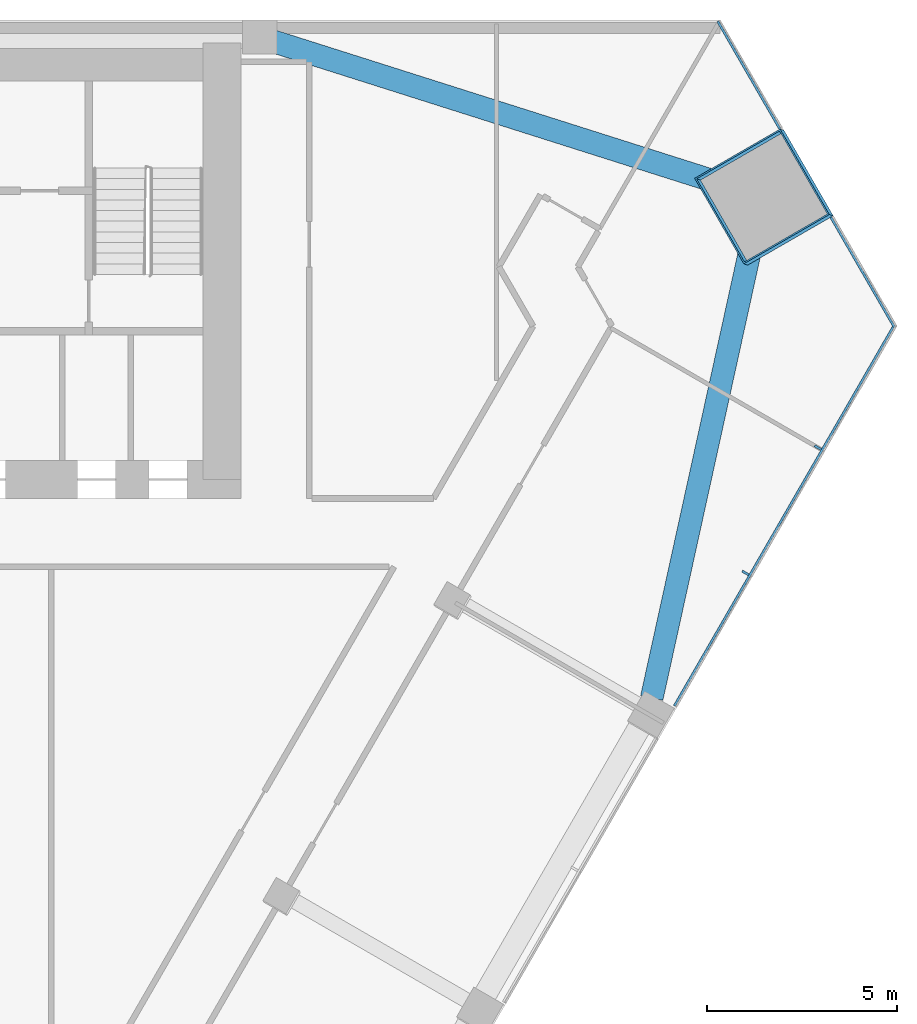
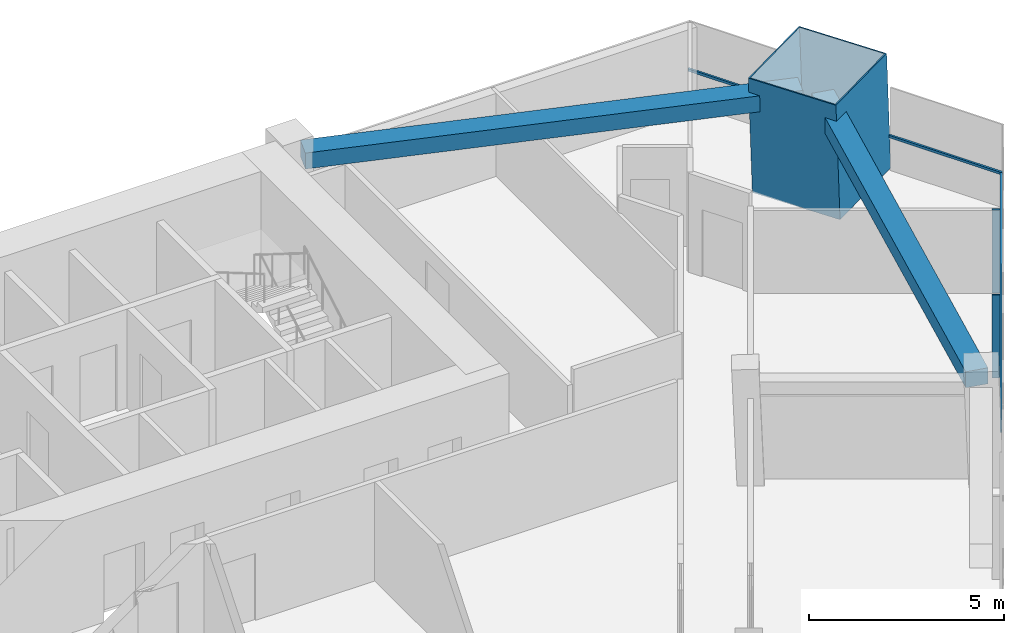
# One storey, part 7 of 13: 6 members, 2 beams, 2 elements without a shape of their own.
"""IFC4 building model written with IfcOpenShell, lengths in metres."""

from ifc_helpers import new_model, si_unit, direction, frame, origin, origin_2d, place, context, subcontext, project, spatial, rectangle, hollow_rectangle, extrude, material, layer, layer_set, material_profile, profile_set, type_object, element, aggregate, save


model = new_model("IFC4")

# Units and contexts
model_context = context("Model", 3, precision=1e-05, world=origin(), true_north=direction((0.0, 1.0)))
body_context = subcontext(model_context, "Body", "Model", "MODEL_VIEW")
ifc_project = project(units=[si_unit("LENGTHUNIT", "METRE"), si_unit("AREAUNIT", "SQUARE_METRE"), si_unit("VOLUMEUNIT", "CUBIC_METRE"), si_unit("PLANEANGLEUNIT", "RADIAN"), si_unit("MASSUNIT", "GRAM", prefix="KILO")], contexts=[model_context])

# Site, building, storey
site_placement = place(None, origin())
site = spatial("IfcSite", under=ifc_project, at=site_placement, CompositionType="ELEMENT")
building_placement = place(site_placement, origin())
building = spatial("IfcBuilding", under=site, at=building_placement, Name="Altiplano Prism Tower", CompositionType="ELEMENT")
storey_placement = place(building_placement, frame((0.0, 0.0, 59.39990234375)))
storey = spatial("IfcBuildingStorey", under=building, at=storey_placement, Name="L14", CompositionType="ELEMENT", Elevation=59.39990234375)

# Curtain wall, members
ifc_material_1 = material(Name="Aluminium and glass", Category="aluminium")
ifc_layer = layer(ifc_material_1, 0.303955078125)
ifc_layer_set = layer_set([ifc_layer], Name="Aluminium and glass")
curtain_wall_type = type_object("IfcCurtainWallType", Name="CW2 lounge-band unitised glazing", PredefinedType="NOTDEFINED", material=ifc_layer_set)
curtain_wall_1_placement = place(storey_placement, origin())
curtain_wall_1 = element("IfcCurtainWall", 1, at=curtain_wall_1_placement, inside=storey, type_object=curtain_wall_type, Name="CW2 curtain wall south-east face L14", PredefinedType="NOTDEFINED")
ifc_material_2 = material(Name="Aluminium", Category="aluminium")
ifc_material_profile_1 = material_profile(ifc_material_2, rectangle(XDim=0.199951171875, YDim=0.06005859375, at=origin_2d()), Name="CW2 mullion 60 x 200")
ifc_profile_set_1 = profile_set([ifc_material_profile_1], Name="Aluminium")
member_type_1 = type_object("IfcMemberType", Name="CW2 mullion 60 x 200", PredefinedType="MULLION", material=ifc_profile_set_1)
member_1_placement = place(storey_placement, frame((111.2900390625, 90.437255859375, 0.0), z_axis=(0.0, 0.0, 1.0), x_axis=(-0.866025407284, 0.499999993939, 0.0)))
member_1 = element("IfcMember", 2, at=member_1_placement, type_object=member_type_1, Name="CW2 mullion", PredefinedType="MULLION", context=body_context, shape_type="SweptSolid", body=[
    extrude(rectangle(XDim=0.199951171875, YDim=0.06005859375, at=origin_2d()), origin(), (0.0, 0.0, 1.0), 2.60009765625),
])
member_2_placement = place(storey_placement, frame((113.196533203125, 93.739501953125, 0.0), z_axis=(0.0, 0.0, 1.0), x_axis=(-0.866025407284, 0.499999993939, 0.0)))
member_2 = element("IfcMember", 3, at=member_2_placement, type_object=member_type_1, Name="CW2 mullion", PredefinedType="MULLION", context=body_context, shape_type="SweptSolid", body=[
    extrude(rectangle(XDim=0.199951171875, YDim=0.06005859375, at=origin_2d()), origin(), (0.0, 0.0, 1.0), 2.60009765625),
])
ifc_material_profile_2 = material_profile(ifc_material_2, rectangle(XDim=0.06005859375, YDim=0.080078125, at=origin_2d()), Name="CW2 transom 80 x 60")
ifc_profile_set_2 = profile_set([ifc_material_profile_2], Name="Aluminium")
member_type_2 = type_object("IfcMemberType", Name="CW2 transom 80 x 60", PredefinedType="USERDEFINED", material=ifc_profile_set_2)
member_3_placement = place(storey_placement, frame((109.417236328125, 86.933837890625, 1.10009765625), z_axis=(0.500011000363, 0.866019052629, 0.0), x_axis=(-0.866019052629, 0.500011000363, 0.0)))
member_3 = element("IfcMember", 4, at=member_3_placement, type_object=member_type_2, Name="CW2 transom", ObjectType="TRANSOM", PredefinedType="USERDEFINED", context=body_context, shape_type="SweptSolid", body=[
    extrude(rectangle(XDim=0.06005859375, YDim=0.080078125, at=origin_2d()), origin(), (0.0, 0.0, 1.0), 11.596435546875),
])
aggregate(curtain_wall_1, [member_1, member_2, member_3])

curtain_wall_2_placement = place(storey_placement, origin())
curtain_wall_2 = element("IfcCurtainWall", 5, at=curtain_wall_2_placement, inside=storey, type_object=curtain_wall_type, Name="CW2 curtain wall north-east chamfer L14", PredefinedType="NOTDEFINED")
member_4_placement = place(storey_placement, frame((115.215576171875, 96.902587890625, 1.10009765625), z_axis=(-0.499959807992, 0.866048607408, 0.0), x_axis=(-0.866048607408, -0.499959807992, 0.0)))
member_4 = element("IfcMember", 6, at=member_4_placement, type_object=member_type_2, Name="CW2 transom", ObjectType="TRANSOM", PredefinedType="USERDEFINED", context=body_context, shape_type="SweptSolid", body=[
    extrude(rectangle(XDim=0.06005859375, YDim=0.080078125, at=origin_2d()), origin(), (0.0, 0.0, 1.0), 3.353759765625),
])
member_5_placement = place(storey_placement, frame((112.19873046875, 102.1279296875, 1.10009765625), z_axis=(-0.499989298045, 0.866031582473, 0.0), x_axis=(-0.866031582473, -0.499989298045, 0.0)))
member_5 = element("IfcMember", 7, at=member_5_placement, type_object=member_type_2, Name="CW2 transom", ObjectType="TRANSOM", PredefinedType="USERDEFINED", context=body_context, shape_type="SweptSolid", body=[
    extrude(rectangle(XDim=0.06005859375, YDim=0.080078125, at=origin_2d()), origin(), (0.0, 0.0, 1.0), 3.2734375),
])
aggregate(curtain_wall_2, [member_4, member_5])

# Beams
ifc_material_3 = material(Name="Concrete C60/75", Category="concrete")
ifc_material_profile_3 = material_profile(ifc_material_3, rectangle(XDim=0.60009765625, YDim=0.5, at=origin_2d()), Name="Edge beam 600x500")
ifc_profile_set_3 = profile_set([ifc_material_profile_3], Name="Concrete C60/75")
beam_type = type_object("IfcBeamType", Name="Edge beam 600x500", PredefinedType="SPANDREL", material=ifc_profile_set_3)
for number, where, z_axis, x_axis, name in (
    (8, (108.822509765625, 87.145751953125, 2.85009765625), (0.214624140569, 0.976696717659, 0.0), (-0.976696717659, 0.214624140569, 0.0), "Edge beam P24-M2 L15"),
    (9, (111.2958984375, 100.4892578125, 2.85009765625), (-0.953152389874, 0.302490531551, 0.0), (-0.302490531551, -0.953152389874, 0.0), "Edge beam M2-P01 L15"),
):
    element("IfcBeam", number, at=place(storey_placement, frame(where, z_axis=z_axis, x_axis=x_axis)), inside=storey, type_object=beam_type, Name=name, PredefinedType="SPANDREL", context=body_context, shape_type="SweptSolid", body=[
        extrude(rectangle(XDim=0.60009765625, YDim=0.5, at=origin_2d()), origin(), (0.0, 0.0, 1.0), 13.072509765625),
    ])

# Member
ifc_material_4 = material(Name="Steel S460", Category="steel")
ifc_material_profile_4 = material_profile(ifc_material_4, hollow_rectangle(XDim=2.60009765625, YDim=2.60009765625, WallThickness=0.0400390625, at=origin_2d()), Name="Mega column tube 2600")
ifc_profile_set_4 = profile_set([ifc_material_profile_4], Name="Steel S460")
member_type_3 = type_object("IfcMemberType", Name="Mega column tube 2600", PredefinedType="POST", material=ifc_profile_set_4)
member_6_placement = place(storey_placement, frame((111.826904296875, 100.31982421875, 0.0), z_axis=(-0.028401796786, 0.009286506348, 0.999553449666), x_axis=(0.498886398949, -0.86638237317, 0.022224860049)))
element("IfcMember", 10, at=member_6_placement, inside=storey, type_object=member_type_3, Name="Mega column tube M2 L14", PredefinedType="POST", context=body_context, shape_type="SweptSolid", body=[
    extrude(hollow_rectangle(XDim=2.60009765625, YDim=2.60009765625, WallThickness=0.0400390625, at=origin_2d()), origin(), (0.0, 0.0, 1.0), 3.601806640625),
])

save(model, "model.ifc")
